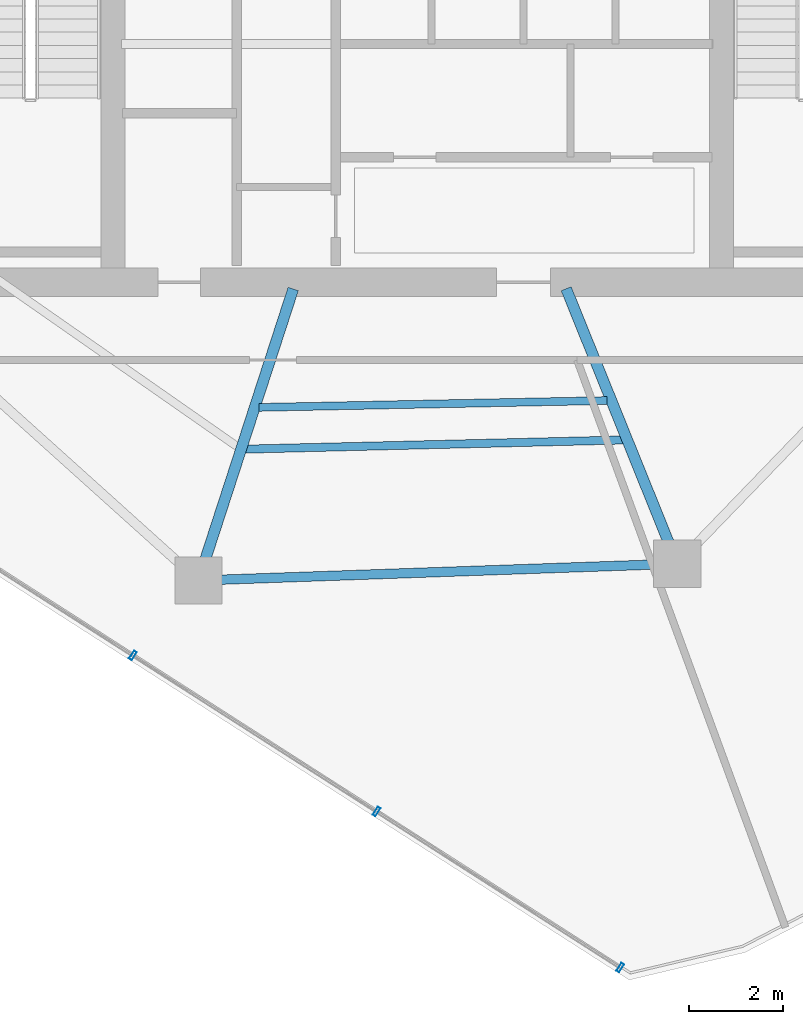
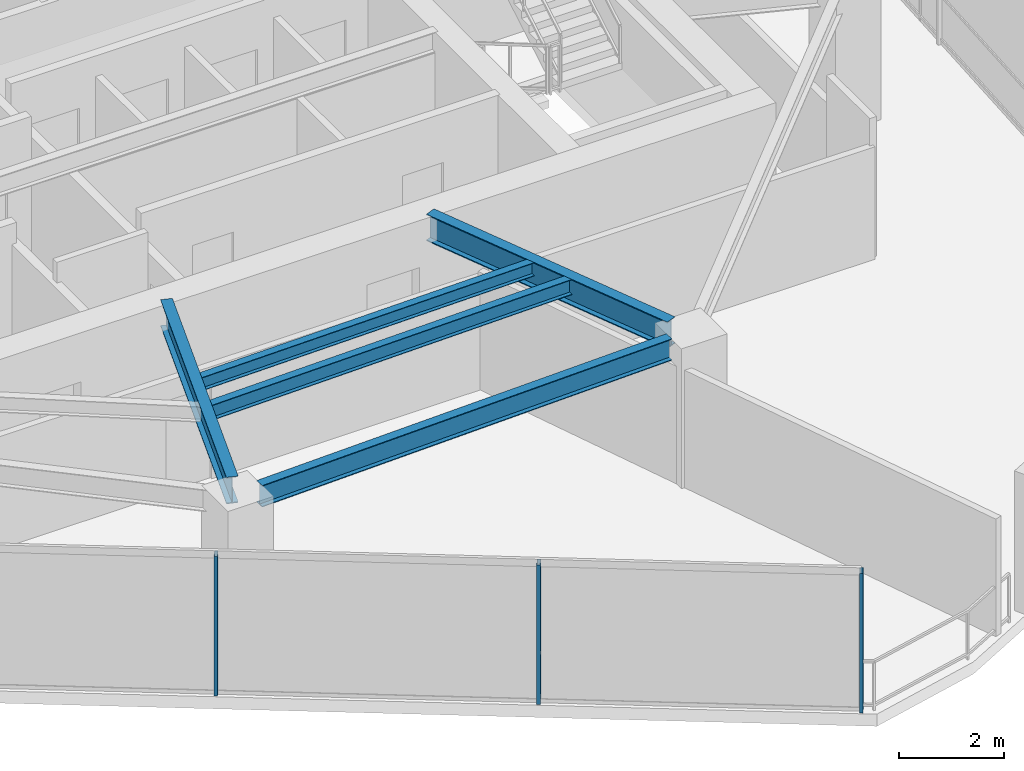
# One storey, part 4 of 20: 5 beams, 3 members, 1 element without a shape of its own.
"""IFC4 building model written with IfcOpenShell, lengths in metres."""

from ifc_helpers import new_model, si_unit, direction, frame, origin, origin_2d, place, context, subcontext, project, spatial, hollow_rectangle, i_section, extrude, material, layer, layer_set, material_profile, profile_set, type_object, element, aggregate, save


model = new_model("IFC4")

# Units and contexts
model_context = context("Model", 3, precision=1e-05, world=origin(), true_north=direction((0.0, 1.0)))
body_context = subcontext(model_context, "Body", "Model", "MODEL_VIEW")
ifc_project = project(units=[si_unit("LENGTHUNIT", "METRE"), si_unit("AREAUNIT", "SQUARE_METRE"), si_unit("VOLUMEUNIT", "CUBIC_METRE"), si_unit("PLANEANGLEUNIT", "RADIAN"), si_unit("MASSUNIT", "GRAM", prefix="KILO")], contexts=[model_context])

# Site, building, storey
site_placement = place(None, origin())
site = spatial("IfcSite", under=ifc_project, at=site_placement, CompositionType="ELEMENT")
building_placement = place(site_placement, origin())
building = spatial("IfcBuilding", under=site, at=building_placement, Name="Qarnah Convention Tower", CompositionType="ELEMENT")
storey_placement = place(building_placement, frame((0.0, 0.0, 168.89990234375)))
storey = spatial("IfcBuildingStorey", under=building, at=storey_placement, Name="L45", CompositionType="ELEMENT", Elevation=168.89990234375)

# Beams
ifc_material_1 = material(Name="Structural steel S355JR", Category="steel")
ifc_material_profile_1 = material_profile(ifc_material_1, i_section(OverallWidth=0.166015625, OverallDepth=0.31201171875, WebThickness=0.007080078125, FlangeThickness=0.010986328125, at=origin_2d()), Name="W310X45")
ifc_profile_set_1 = profile_set([ifc_material_profile_1], Name="Structural steel S355JR")
beam_type_1 = type_object("IfcBeamType", Name="BM-JST-W310", PredefinedType="JOIST", material=ifc_profile_set_1)
beam_1_placement = place(storey_placement, frame((33.89306640625, 15.946044921875, 3.083984375), z_axis=(0.999807032835, 0.019644263612, 0.0), x_axis=(-0.019644263612, 0.999807032835, 0.0)))
element("IfcBeam", 1, at=beam_1_placement, inside=storey, type_object=beam_type_1, Name="L45 joist BM-L45-IJST-07", PredefinedType="JOIST", context=body_context, shape_type="SweptSolid", body=[
    extrude(i_section(OverallWidth=0.166015625, OverallDepth=0.31201171875, WebThickness=0.007080078125, FlangeThickness=0.010986328125, at=origin_2d()), origin(), (0.0, 0.0, 1.0), 7.38232421875),
])
ifc_material_profile_2 = material_profile(ifc_material_1, i_section(OverallWidth=0.172119140625, OverallDepth=0.35595703125, WebThickness=0.007080078125, FlangeThickness=0.011962890625, at=origin_2d()), Name="W360X51")
ifc_profile_set_2 = profile_set([ifc_material_profile_2], Name="Structural steel S355JR")
beam_type_2 = type_object("IfcBeamType", Name="BM-JST-W360", PredefinedType="JOIST", material=ifc_profile_set_2)
beam_2_placement = place(storey_placement, frame((33.60498046875, 15.06103515625, 3.06201171875), z_axis=(0.999707078051, 0.024202439856, 0.0), x_axis=(-0.024202439856, 0.999707078051, 0.0)))
element("IfcBeam", 2, at=beam_2_placement, inside=storey, type_object=beam_type_2, Name="L45 joist BM-L45-SJST-07", PredefinedType="JOIST", context=body_context, shape_type="SweptSolid", body=[
    extrude(i_section(OverallWidth=0.172119140625, OverallDepth=0.35595703125, WebThickness=0.007080078125, FlangeThickness=0.011962890625, at=origin_2d()), origin(), (0.0, 0.0, 1.0), 8.009521484375),
])
ifc_material_profile_3 = material_profile(ifc_material_1, i_section(OverallWidth=0.22998046875, OverallDepth=0.617919921875, WebThickness=0.012939453125, FlangeThickness=0.02197265625, at=origin_2d()), Name="W610X140")
ifc_profile_set_3 = profile_set([ifc_material_profile_3], Name="Structural steel S355JR")
beam_type_3 = type_object("IfcBeamType", Name="BM-RAD-W610A", PredefinedType="BEAM", material=ifc_profile_set_3)
beam_3_placement = place(storey_placement, frame((34.6201171875, 18.45703125, 2.93115234375), z_axis=(-0.30919796314, -0.950997696942, 0.0), x_axis=(0.950997696942, -0.30919796314, 0.0)))
element("IfcBeam", 3, at=beam_3_placement, inside=storey, type_object=beam_type_3, Name="L45 beam BM-L45-RAD-07", PredefinedType="BEAM", context=body_context, shape_type="SweptSolid", body=[
    extrude(i_section(OverallWidth=0.22998046875, OverallDepth=0.617919921875, WebThickness=0.012939453125, FlangeThickness=0.02197265625, at=origin_2d()), origin(), (0.0, 0.0, 1.0), 6.01904296875),
])
beam_4_placement = place(storey_placement, frame((40.406982421875, 18.4609375, 2.93115234375), z_axis=(0.374656949885, -0.927163507642, 0.0), x_axis=(0.927163507642, 0.374656949885, 0.0)))
element("IfcBeam", 4, at=beam_4_placement, inside=storey, type_object=beam_type_3, Name="L45 beam BM-L45-RAD-08", PredefinedType="BEAM", context=body_context, shape_type="SweptSolid", body=[
    extrude(i_section(OverallWidth=0.22998046875, OverallDepth=0.617919921875, WebThickness=0.012939453125, FlangeThickness=0.02197265625, at=origin_2d()), origin(), (0.0, 0.0, 1.0), 5.80810546875),
])
ifc_material_profile_4 = material_profile(ifc_material_1, i_section(OverallWidth=0.199951171875, OverallDepth=0.5, WebThickness=0.010009765625, FlangeThickness=0.01611328125, at=origin_2d()), Name="IPE500")
ifc_profile_set_4 = profile_set([ifc_material_profile_4], Name="Structural steel S355JR")
beam_type_4 = type_object("IfcBeamType", Name="BM-SPN-IPE500", PredefinedType="SPANDREL", material=ifc_profile_set_4)
beam_5_placement = place(storey_placement, frame((33.10107421875, 12.2939453125, 2.989990234375), z_axis=(0.999391665003, 0.034875491717, 0.0), x_axis=(-0.034875491717, 0.999391665003, 0.0)))
element("IfcBeam", 5, at=beam_5_placement, inside=storey, type_object=beam_type_4, Name="L45 spandrel BM-L45-SPN-07", PredefinedType="SPANDREL", context=body_context, shape_type="SweptSolid", body=[
    extrude(i_section(OverallWidth=0.199951171875, OverallDepth=0.5, WebThickness=0.010009765625, FlangeThickness=0.01611328125, at=origin_2d()), origin(), (0.0, 0.0, 1.0), 9.177490234375),
])

# Curtain wall, members
ifc_material_2 = material(Name="Tempered Low-E dark glass", Category="glass")
ifc_layer = layer(ifc_material_2, 0.172119140625)
ifc_layer_set = layer_set([ifc_layer], Name="Tempered Low-E dark glass")
curtain_wall_type = type_object("IfcCurtainWallType", Name="CWS-03", PredefinedType="NOTDEFINED", material=ifc_layer_set)
curtain_wall_placement = place(storey_placement, origin())
curtain_wall = element("IfcCurtainWall", 6, at=curtain_wall_placement, inside=storey, type_object=curtain_wall_type, Name="L45 unitised curtain wall CW-L45-F1", PredefinedType="NOTDEFINED")
ifc_material_3 = material(Name="Black anodised aluminium", Category="aluminium")
ifc_material_profile_5 = material_profile(ifc_material_3, hollow_rectangle(XDim=0.070068359375, YDim=0.199951171875, WallThickness=0.0048828125, at=origin_2d()), Name="MUL-70X200")
ifc_profile_set_5 = profile_set([ifc_material_profile_5], Name="Black anodised aluminium")
member_type = type_object("IfcMemberType", Name="MUL-T3", PredefinedType="MULLION", material=ifc_profile_set_5)
member_1_placement = place(storey_placement, frame((41.554931640625, 4.070068359375, 0.0), z_axis=(0.0, 0.0, 1.0), x_axis=(-0.84208072788, 0.539351506657, 0.0)))
member_1 = element("IfcMember", 7, at=member_1_placement, type_object=member_type, Name="CW-L45-F1 mullion 1", PredefinedType="MULLION", context=body_context, shape_type="SweptSolid", body=[
    extrude(hollow_rectangle(XDim=0.070068359375, YDim=0.199951171875, WallThickness=0.0048828125, at=origin_2d()), origin(), (0.0, 0.0, 1.0), 3.239990234375),
])
member_2_placement = place(storey_placement, frame((36.388427734375, 7.379150390625, 0.0), z_axis=(0.0, 0.0, 1.0), x_axis=(-0.84208072788, 0.539351506657, 0.0)))
member_2 = element("IfcMember", 8, at=member_2_placement, type_object=member_type, Name="CW-L45-F1 mullion 2", PredefinedType="MULLION", context=body_context, shape_type="SweptSolid", body=[
    extrude(hollow_rectangle(XDim=0.070068359375, YDim=0.199951171875, WallThickness=0.0048828125, at=origin_2d()), origin(), (0.0, 0.0, 1.0), 3.239990234375),
])
member_3_placement = place(storey_placement, frame((31.2216796875, 10.6884765625, 0.0), z_axis=(0.0, 0.0, 1.0), x_axis=(-0.84208072788, 0.539351506657, 0.0)))
member_3 = element("IfcMember", 9, at=member_3_placement, type_object=member_type, Name="CW-L45-F1 mullion 3", PredefinedType="MULLION", context=body_context, shape_type="SweptSolid", body=[
    extrude(hollow_rectangle(XDim=0.070068359375, YDim=0.199951171875, WallThickness=0.0048828125, at=origin_2d()), origin(), (0.0, 0.0, 1.0), 3.239990234375),
])
aggregate(curtain_wall, [member_1, member_2, member_3])

save(model, "model.ifc")
